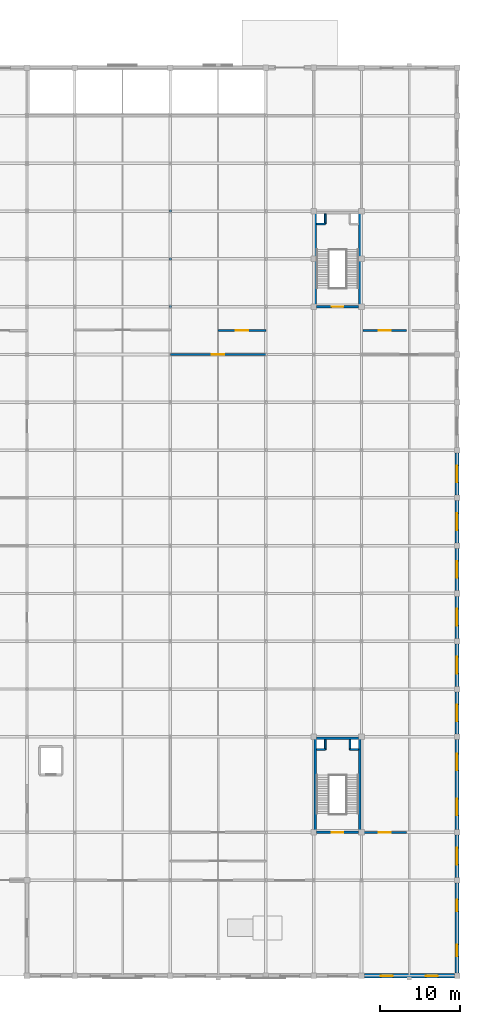
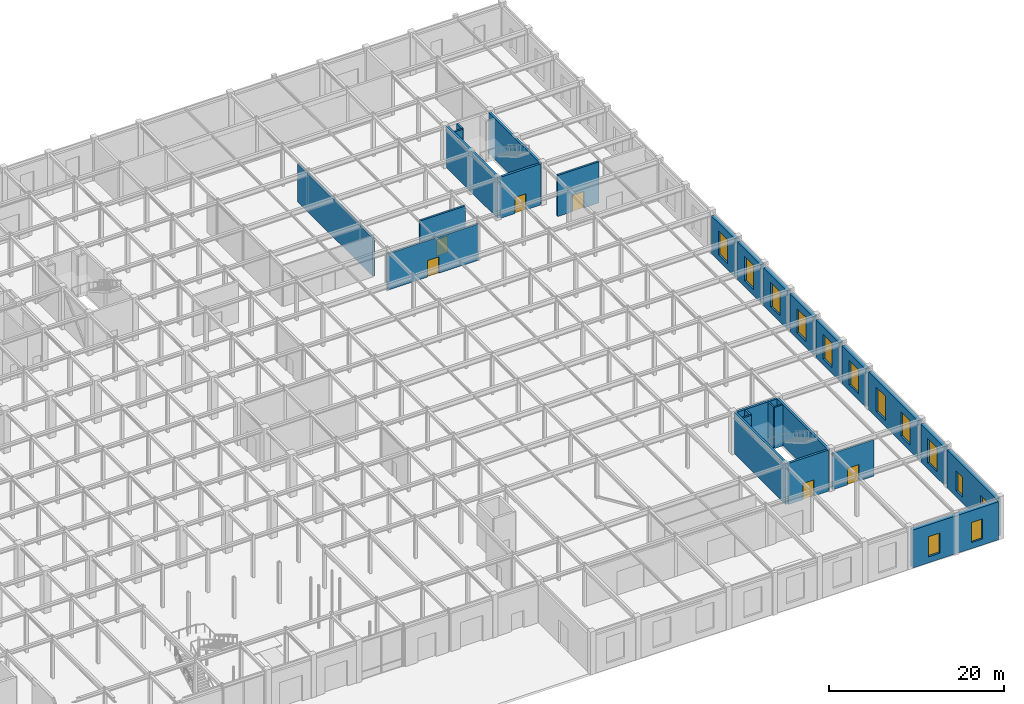
# One storey, part 47 of 51: 28 walls, 13 windows, 6 doors, 19 openings.
"""IFC4 building model written with IfcOpenShell, lengths in metres."""

import ifcopenshell
import ifcopenshell.guid

model = None  # the IFC model being written
_history = None  # IfcOwnerHistory: only IFC2X3 demands one
_inside = {}  # id of a spatial element -> (the spatial element, [elements in it])
_under = {}  # id of a project, library or spatial element -> (it, [spatial elements below it])
_declared = {}  # id of a project -> (the project, [libraries it declares])
_typed = {}  # id of a type object -> (the type object, [elements of that type])
_made_of = {}  # id of a material, layer set ... -> (it, [elements and type objects made of it])


def new_model(schema):
    """Start an empty IFC model of exactly this schema.

    Asked for "IFC4X3", IfcOpenShell would pick the latest addendum, in which some entities
    have other attributes; the version numbers below select the first issue.
    IFC2X3 requires an IfcOwnerHistory on every rooted entity: one is made here for all.
    """
    global model, _history
    if schema == "IFC4X3":
        model = ifcopenshell.file(schema_version=(4, 3, 0, 0))
    else:
        model = ifcopenshell.file(schema=schema)
    _inside.clear()
    _under.clear()
    _declared.clear()
    _typed.clear()
    _made_of.clear()
    _history = None
    if model.schema == "IFC2X3":
        org = make("IfcOrganization", Name="unknown")
        user = make(
            "IfcPersonAndOrganization",
            ThePerson=make("IfcPerson", FamilyName="unknown"),
            TheOrganization=org,
        )
        app = make(
            "IfcApplication",
            ApplicationDeveloper=org,
            Version="unknown",
            ApplicationFullName="unknown",
            ApplicationIdentifier="unknown",
        )
        _history = make(
            "IfcOwnerHistory",
            OwningUser=user,
            OwningApplication=app,
            ChangeAction="ADDED",
            CreationDate=0,
        )
    return model


def make(cls, **values):
    """One entity of the class cls with the attributes given. An attribute that is None is left unset."""
    return model.create_entity(
        cls, **{name: value for name, value in values.items() if value is not None}
    )


def rooted(cls, **values):
    """An entity with a GlobalId (a new one), such as an element, a storey or a relation."""
    return make(cls, GlobalId=ifcopenshell.guid.new(), OwnerHistory=_history, **values)


def si_unit(unit_type, name, prefix=None):
    """IfcSIUnit, for example si_unit("LENGTHUNIT", "METRE", prefix="MILLI")."""
    return make("IfcSIUnit", UnitType=unit_type, Prefix=prefix, Name=name)


def assignment(units):
    """IfcUnitAssignment: the units of a project."""
    return None if units is None else make("IfcUnitAssignment", Units=units)


def point(xyz):
    """IfcCartesianPoint."""
    return None if xyz is None else make("IfcCartesianPoint", Coordinates=xyz)


def direction(xyz):
    """IfcDirection."""
    return None if xyz is None else make("IfcDirection", DirectionRatios=xyz)


def frame(location, z_axis=None, x_axis=None):
    """IfcAxis2Placement3D, a coordinate frame: its origin and axes. An axis left out is left unset."""
    return make(
        "IfcAxis2Placement3D",
        Location=point(location),
        Axis=direction(z_axis),
        RefDirection=direction(x_axis),
    )


def frame_2d(location, x_axis=None):
    """IfcAxis2Placement2D, a coordinate frame in the plane: its origin and x axis."""
    return make(
        "IfcAxis2Placement2D", Location=point(location), RefDirection=direction(x_axis)
    )


def origin():
    """The frame at (0, 0, 0) with its axes left unset."""
    return frame((0.0, 0.0, 0.0))


def place(relative_to, where):
    """IfcLocalPlacement: puts the frame where relative to a parent placement (None: the world)."""
    return make(
        "IfcLocalPlacement", PlacementRelTo=relative_to, RelativePlacement=where
    )


def context(
    kind, dimensions, precision=None, world=None, true_north=None, identifier=None
):
    """IfcGeometricRepresentationContext, for example the 3D "Model" context."""
    return make(
        "IfcGeometricRepresentationContext",
        ContextIdentifier=identifier,
        ContextType=kind,
        CoordinateSpaceDimension=dimensions,
        Precision=precision,
        WorldCoordinateSystem=world,
        TrueNorth=true_north,
    )


def subcontext(parent, identifier, kind, view, scale=None):
    """IfcGeometricRepresentationSubContext, for example "Body" below "Model"."""
    return make(
        "IfcGeometricRepresentationSubContext",
        ContextIdentifier=identifier,
        ContextType=kind,
        ParentContext=parent,
        TargetScale=scale,
        TargetView=view,
    )


def project(units=None, contexts=None):
    """IfcProject with its units and contexts."""
    return rooted(
        "IfcProject",
        Name="project",
        RepresentationContexts=contexts,
        UnitsInContext=assignment(units),
    )


def spatial(cls, under=None, at=None, **own):
    """A site, building, storey or space (cls), placed at a placement, below another one or the project."""
    s = rooted(cls, ObjectPlacement=at, **own)
    if under is not None:
        _under.setdefault(under.id(), (under, []))[1].append(s)
    return s


def profile(cls, at=None, kind="AREA", **sizes):
    """A parametric profile (cls). Its sizes go by their IFC names, for example OverallWidth=200.0."""
    return make(cls, ProfileType=kind, Position=at, **sizes)


def rectangle(**sizes):
    """IfcRectangleProfileDef."""
    return profile("IfcRectangleProfileDef", **sizes)


def extrude(swept, where, along, depth):
    """IfcExtrudedAreaSolid: the profile swept, set in the frame where, extruded along a direction by depth."""
    return make(
        "IfcExtrudedAreaSolid",
        SweptArea=swept,
        Position=where,
        ExtrudedDirection=direction(along),
        Depth=depth,
    )


def shape(context_of_items, identifier, shape_type, items):
    """IfcShapeRepresentation: the items that make up one representation, for example the "Body"."""
    return make(
        "IfcShapeRepresentation",
        ContextOfItems=context_of_items,
        RepresentationIdentifier=identifier,
        RepresentationType=shape_type,
        Items=items,
    )


def material(Name=None, Category=None):
    """IfcMaterial."""
    return make("IfcMaterial", Name=Name, Category=Category)


def layer(
    of_material, thickness, ventilated=None, Name=None, Category=None, Priority=None
):
    """IfcMaterialLayer: one layer of a wall or slab, of a material (None: an air gap)."""
    return make(
        "IfcMaterialLayer",
        Material=of_material,
        LayerThickness=thickness,
        IsVentilated=ventilated,
        Name=Name,
        Category=Category,
        Priority=Priority,
    )


def layer_set(layers, Name=None):
    """IfcMaterialLayerSet."""
    return make("IfcMaterialLayerSet", MaterialLayers=layers, LayerSetName=Name)


def made_of(thing, what):
    """Note that an element or type object is made of a material, layer set ...; save() writes the relation."""
    if what is not None:
        _made_of.setdefault(what.id(), (what, []))[1].append(thing)
    return thing


def type_object(cls, material=None, **own):
    """A type object (cls), such as IfcWallType, which elements share."""
    return made_of(rooted(cls, **own), material)


def element(
    cls,
    number,
    at=None,
    inside=None,
    cuts=None,
    type_object=None,
    material=None,
    context=None,
    identifier="Body",
    shape_type=None,
    held_by="IfcProductDefinitionShape",
    body=None,
    shapes=None,
    **own,
):
    """One element of the class cls, such as IfcWall. Its Tag is "e" and its number.

    at: its placement. inside: the storey or other place that contains it. cuts: it is an
    opening in that element (IfcRelVoidsElement). A single representation is given by context,
    identifier, shape_type and body (its items); several are given by shapes. held_by: the class
    of the entity that holds the representations. save() writes the other relations.
    """
    e = rooted(cls, Tag="e%d" % number, ObjectPlacement=at, **own)
    if body is not None:
        shapes = [shape(context, identifier, shape_type, body)]
    if shapes is not None:
        e.Representation = make(held_by, Representations=shapes)
    if inside is not None:
        _inside.setdefault(inside.id(), (inside, []))[1].append(e)
    if cuts is not None:
        rooted(
            "IfcRelVoidsElement", RelatingBuildingElement=cuts, RelatedOpeningElement=e
        )
    if type_object is not None:
        _typed.setdefault(type_object.id(), (type_object, []))[1].append(e)
    return made_of(e, material)


def fill(opening, filler):
    """IfcRelFillsElement: the door or window that sits in an opening."""
    return rooted(
        "IfcRelFillsElement",
        RelatingOpeningElement=opening,
        RelatedBuildingElement=filler,
    )


def aggregate(whole, parts):
    """IfcRelAggregates: a whole, such as a stair, and the parts it consists of."""
    return rooted("IfcRelAggregates", RelatingObject=whole, RelatedObjects=parts)


def save(model, path):
    """Write the relations noted so far, then the file.

    IfcRelAggregates (storeys below a building ...), IfcRelContainedInSpatialStructure (elements
    in a storey), IfcRelDefinesByType, IfcRelAssociatesMaterial and IfcRelDeclares: one each for
    every whole, place, type object, material and project.
    """
    for whole, parts in _under.values():
        aggregate(whole, parts)
    for where, things in _inside.values():
        rooted(
            "IfcRelContainedInSpatialStructure",
            RelatedElements=things,
            RelatingStructure=where,
        )
    for kind, things in _typed.values():
        rooted("IfcRelDefinesByType", RelatedObjects=things, RelatingType=kind)
    for what, things in _made_of.values():
        rooted("IfcRelAssociatesMaterial", RelatedObjects=things, RelatingMaterial=what)
    for by, libraries in _declared.values():
        rooted("IfcRelDeclares", RelatingContext=by, RelatedDefinitions=libraries)
    model.write(path)


model = new_model("IFC4")

# Units and contexts
model_context = context("Model", 3, precision=1e-05, world=origin(), true_north=direction((0.0, 1.0)))
body_context = subcontext(model_context, "Body", "Model", "MODEL_VIEW")
ifc_project = project(units=[si_unit("LENGTHUNIT", "METRE"), si_unit("AREAUNIT", "SQUARE_METRE"), si_unit("VOLUMEUNIT", "CUBIC_METRE"), si_unit("PLANEANGLEUNIT", "RADIAN"), si_unit("MASSUNIT", "GRAM", prefix="KILO")], contexts=[model_context])

# Site, building, storey
site_placement = place(None, origin())
site = spatial("IfcSite", under=ifc_project, at=site_placement, CompositionType="ELEMENT")
building_placement = place(site_placement, origin())
building = spatial("IfcBuilding", under=site, at=building_placement, Name="Zlatovratsky Civic Hall", CompositionType="ELEMENT")
storey_placement = place(building_placement, origin())
storey = spatial("IfcBuildingStorey", under=building, at=storey_placement, Name="L01", CompositionType="ELEMENT", Elevation=0.0)

# Wall, opening, door
ifc_material_1 = material(Name="Acoustic ceramic blockwork", Category="masonry")
ifc_layer_1 = layer(ifc_material_1, 0.260009765625)
ifc_layer_set_1 = layer_set([ifc_layer_1], Name="Acoustic ceramic blockwork")
wall_type_1 = type_object("IfcWallType", Name="Wall_ArchiveCompartment_260", PredefinedType="PARTITIONING", material=ifc_layer_set_1)
wall_1_placement = place(storey_placement, frame((132.0, 78.0, 0.0), z_axis=(0.0, 0.0, 1.0), x_axis=(1.0, 0.0, 0.0)))
wall_1 = element("IfcWall", 1, at=wall_1_placement, inside=storey, type_object=wall_type_1, Name="WL-6077", PredefinedType="PARTITIONING", context=body_context, shape_type="SweptSolid", body=[
    extrude(rectangle(XDim=12.0, YDim=0.260009765625, at=frame_2d((6.0, 0.0))), origin(), (0.0, 0.0, 1.0), 5.076904296875),
])
opening_1_placement = place(wall_1_placement, frame((5.22509765625, 0.0, 0.0)))
opening_1 = element("IfcOpeningElement", 2, at=opening_1_placement, cuts=wall_1, Name="Opening D-15", PredefinedType="OPENING", context=body_context, shape_type="SweptSolid", body=[
    extrude(rectangle(XDim=1.550048828125, YDim=2.300048828125, at=frame_2d((0.77490234375, 1.14990234375))), frame((0.0, 0.14501953125, 0.0), z_axis=(0.0, -1.0, 0.0), x_axis=(1.0, 0.0, 0.0)), (0.0, 0.0, 1.0), 0.289794921875),
])
ifc_material_2 = material(Name="Insulated painted fire-rated steel leaf", Category="steel")
door_type_1 = type_object("IfcDoorType", Name="Door_CompactArchiveFire_1550x2300", OperationType="DOUBLE_DOOR_SINGLE_SWING", PredefinedType="DOOR", material=ifc_material_2)
door_1_placement = place(opening_1_placement, origin())
door_1 = element("IfcDoor", 3, at=door_1_placement, inside=storey, type_object=door_type_1, Name="DR-5238", OperationType="DOUBLE_DOOR_SINGLE_SWING", OverallHeight=2.300048828125, OverallWidth=1.550048828125, PredefinedType="DOOR", context=body_context, shape_type="SweptSolid", body=[
    extrude(rectangle(XDim=1.550048828125, YDim=2.300048828125, at=frame_2d((0.77490234375, 1.14990234375))), frame((0.0, 0.02490234375, 0.0), z_axis=(0.0, -1.0, 0.0), x_axis=(1.0, 0.0, 0.0)), (0.0, 0.0, 1.0), 0.050048828125),
])
fill(opening_1, door_1)

wall_2_placement = place(storey_placement, frame((138.0, 81.0, 0.0), z_axis=(0.0, 0.0, 1.0), x_axis=(1.0, 0.0, 0.0)))
wall_2 = element("IfcWall", 4, at=wall_2_placement, inside=storey, type_object=wall_type_1, Name="WL-6081", PredefinedType="PARTITIONING", context=body_context, shape_type="SweptSolid", body=[
    extrude(rectangle(XDim=6.0, YDim=0.260009765625, at=frame_2d((3.0, 0.0))), origin(), (0.0, 0.0, 1.0), 5.760009765625),
])
opening_2_placement = place(wall_2_placement, frame((2.22509765625, 0.0, 0.0)))
opening_2 = element("IfcOpeningElement", 5, at=opening_2_placement, cuts=wall_2, Name="Opening D-15", PredefinedType="OPENING", context=body_context, shape_type="SweptSolid", body=[
    extrude(rectangle(XDim=1.550048828125, YDim=2.300048828125, at=frame_2d((0.77490234375, 1.14990234375))), frame((0.0, 0.14501953125, 0.0), z_axis=(0.0, -1.0, 0.0), x_axis=(1.0, 0.0, 0.0)), (0.0, 0.0, 1.0), 0.289794921875),
])
door_2_placement = place(opening_2_placement, origin())
door_2 = element("IfcDoor", 6, at=door_2_placement, inside=storey, type_object=door_type_1, Name="DR-5242", OperationType="DOUBLE_DOOR_SINGLE_SWING", OverallHeight=2.300048828125, OverallWidth=1.550048828125, PredefinedType="DOOR", context=body_context, shape_type="SweptSolid", body=[
    extrude(rectangle(XDim=1.550048828125, YDim=2.300048828125, at=frame_2d((0.77490234375, 1.14990234375))), frame((0.0, 0.02490234375, 0.0), z_axis=(0.0, -1.0, 0.0), x_axis=(1.0, 0.0, 0.0)), (0.0, 0.0, 1.0), 0.050048828125),
])
fill(opening_2, door_2)

wall_3_placement = place(storey_placement, frame((156.199951171875, 81.0, 0.0), z_axis=(0.0, 0.0, 1.0), x_axis=(1.0, 0.0, 0.0)))
wall_3 = element("IfcWall", 7, at=wall_3_placement, inside=storey, type_object=wall_type_1, Name="WL-6087", PredefinedType="PARTITIONING", context=body_context, shape_type="SweptSolid", body=[
    extrude(rectangle(XDim=5.449951171875, YDim=0.260009765625, at=frame_2d((2.72509765625, 0.0))), origin(), (0.0, 0.0, 1.0), 5.760009765625),
])
opening_3_placement = place(wall_3_placement, frame((1.949951171875, 0.0, 0.0)))
opening_3 = element("IfcOpeningElement", 8, at=opening_3_placement, cuts=wall_3, Name="Opening D-15", PredefinedType="OPENING", context=body_context, shape_type="SweptSolid", body=[
    extrude(rectangle(XDim=1.550048828125, YDim=2.300048828125, at=frame_2d((0.77490234375, 1.14990234375))), frame((0.0, 0.14501953125, 0.0), z_axis=(0.0, -1.0, 0.0), x_axis=(1.0, 0.0, 0.0)), (0.0, 0.0, 1.0), 0.289794921875),
])
door_3_placement = place(opening_3_placement, origin())
door_3 = element("IfcDoor", 9, at=door_3_placement, inside=storey, type_object=door_type_1, Name="DR-5248", OperationType="DOUBLE_DOOR_SINGLE_SWING", OverallHeight=2.300048828125, OverallWidth=1.550048828125, PredefinedType="DOOR", context=body_context, shape_type="SweptSolid", body=[
    extrude(rectangle(XDim=1.550048828125, YDim=2.300048828125, at=frame_2d((0.77490234375, 1.14990234375))), frame((0.0, 0.02490234375, 0.0), z_axis=(0.0, -1.0, 0.0), x_axis=(1.0, 0.0, 0.0)), (0.0, 0.0, 1.0), 0.050048828125),
])
fill(opening_3, door_3)

wall_4_placement = place(storey_placement, frame((156.199951171875, 18.0, 0.0), z_axis=(0.0, 0.0, 1.0), x_axis=(1.0, 0.0, 0.0)))
wall_4 = element("IfcWall", 10, at=wall_4_placement, inside=storey, type_object=wall_type_1, Name="WL-6089", PredefinedType="PARTITIONING", context=body_context, shape_type="SweptSolid", body=[
    extrude(rectangle(XDim=5.449951171875, YDim=0.260009765625, at=frame_2d((2.72509765625, 0.0))), origin(), (0.0, 0.0, 1.0), 5.076904296875),
])
opening_4_placement = place(wall_4_placement, frame((1.949951171875, 0.0, 0.0)))
opening_4 = element("IfcOpeningElement", 11, at=opening_4_placement, cuts=wall_4, Name="Opening D-15", PredefinedType="OPENING", context=body_context, shape_type="SweptSolid", body=[
    extrude(rectangle(XDim=1.550048828125, YDim=2.300048828125, at=frame_2d((0.77490234375, 1.14990234375))), frame((0.0, 0.14501953125, 0.0), z_axis=(0.0, -1.0, 0.0), x_axis=(1.0, 0.0, 0.0)), (0.0, 0.0, 1.0), 0.289794921875),
])
door_4_placement = place(opening_4_placement, origin())
door_4 = element("IfcDoor", 12, at=door_4_placement, inside=storey, type_object=door_type_1, Name="DR-5250", OperationType="DOUBLE_DOOR_SINGLE_SWING", OverallHeight=2.300048828125, OverallWidth=1.550048828125, PredefinedType="DOOR", context=body_context, shape_type="SweptSolid", body=[
    extrude(rectangle(XDim=1.550048828125, YDim=2.300048828125, at=frame_2d((0.77490234375, 1.14990234375))), frame((0.0, 0.02490234375, 0.0), z_axis=(0.0, -1.0, 0.0), x_axis=(1.0, 0.0, 0.0)), (0.0, 0.0, 1.0), 0.050048828125),
])
fill(opening_4, door_4)

# Wall
wall_5_placement = place(storey_placement, frame((132.0, 81.14990234375, 0.0), z_axis=(0.0, 0.0, 1.0), x_axis=(0.0, 1.0, 0.0)))
element("IfcWall", 13, at=wall_5_placement, inside=storey, type_object=wall_type_1, Name="WL-6094", PredefinedType="PARTITIONING", context=body_context, shape_type="SweptSolid", body=[
    extrude(rectangle(XDim=17.2001953125, YDim=0.260009765625, at=frame_2d((8.60009765625, 0.0))), origin(), (0.0, 0.0, 1.0), 5.320068359375),
])

# Wall, openings, windows
ifc_layer_2 = layer(ifc_material_1, 0.39990234375, Name="Backing")
ifc_material_3 = material(Name="Polished Karelian granite ashlar", Category="masonry")
ifc_layer_3 = layer(ifc_material_3, 0.139892578125, Name="Finish")
ifc_layer_set_2 = layer_set([ifc_layer_2, ifc_layer_3], Name="Acoustic ceramic blockwork")
wall_type_2 = type_object("IfcWallType", Name="Wall_PodiumGraniteArcade_540", PredefinedType="SOLIDWALL", material=ifc_layer_set_2)
wall_6_placement = place(storey_placement, frame((156.35009765625, 0.0, 0.0), z_axis=(0.0, 0.0, 1.0), x_axis=(1.0, 0.0, 0.0)))
wall_6 = element("IfcWall", 14, at=wall_6_placement, inside=storey, type_object=wall_type_2, Name="WL-0093", PredefinedType="SOLIDWALL", context=body_context, shape_type="SweptSolid", body=[
    extrude(rectangle(XDim=11.2998046875, YDim=0.5400390625, at=frame_2d((5.64990234375, 0.0))), origin(), (0.0, 0.0, 1.0), 5.31005859375),
])
opening_5_placement = place(wall_6_placement, frame((2.074951171875, 0.0, 0.85009765625)))
opening_5 = element("IfcOpeningElement", 15, at=opening_5_placement, cuts=wall_6, Name="Opening WN-27", PredefinedType="OPENING", context=body_context, shape_type="SweptSolid", body=[
    extrude(rectangle(XDim=1.5, YDim=2.800048828125, at=frame_2d((0.75, 1.39990234375))), frame((0.0, 0.284912109375, 0.0), z_axis=(0.0, -1.0, 0.0), x_axis=(1.0, 0.0, 0.0)), (0.0, 0.0, 1.0), 0.56982421875),
])
opening_6_placement = place(wall_6_placement, frame((7.72509765625, 0.0, 0.85009765625)))
opening_6 = element("IfcOpeningElement", 16, at=opening_6_placement, cuts=wall_6, Name="Opening WN-27", PredefinedType="OPENING", context=body_context, shape_type="SweptSolid", body=[
    extrude(rectangle(XDim=1.5, YDim=2.800048828125, at=frame_2d((0.75, 1.39990234375))), frame((0.0, 0.284912109375, 0.0), z_axis=(0.0, -1.0, 0.0), x_axis=(1.0, 0.0, 0.0)), (0.0, 0.0, 1.0), 0.56982421875),
])
ifc_material_4 = material(Name="Low-E laminated double glazing", Category="glass")
window_type_1 = type_object("IfcWindowType", Name="Window_CornerBastionPodium_1500x2800", PartitioningType="SINGLE_PANEL", PredefinedType="WINDOW", material=ifc_material_4)
window_1_placement = place(opening_5_placement, origin())
window_1 = element("IfcWindow", 17, at=window_1_placement, inside=storey, type_object=window_type_1, Name="WN-0017", OverallHeight=2.800048828125, OverallWidth=1.5, PartitioningType="SINGLE_PANEL", PredefinedType="WINDOW", context=body_context, shape_type="SweptSolid", body=[
    extrude(rectangle(XDim=1.5, YDim=2.800048828125, at=frame_2d((0.75, 1.39990234375))), frame((0.0, 0.030029296875, 0.0), z_axis=(0.0, -1.0, 0.0), x_axis=(1.0, 0.0, 0.0)), (0.0, 0.0, 1.0), 0.06005859375),
])
fill(opening_5, window_1)
window_2_placement = place(opening_6_placement, origin())
window_2 = element("IfcWindow", 18, at=window_2_placement, inside=storey, type_object=window_type_1, Name="WN-0018", OverallHeight=2.800048828125, OverallWidth=1.5, PartitioningType="SINGLE_PANEL", PredefinedType="WINDOW", context=body_context, shape_type="SweptSolid", body=[
    extrude(rectangle(XDim=1.5, YDim=2.800048828125, at=frame_2d((0.75, 1.39990234375))), frame((0.0, 0.030029296875, 0.0), z_axis=(0.0, -1.0, 0.0), x_axis=(1.0, 0.0, 0.0)), (0.0, 0.0, 1.0), 0.06005859375),
])
fill(opening_6, window_2)

wall_7_placement = place(storey_placement, frame((168.0, 0.35009765625, 0.0), z_axis=(0.0, 0.0, 1.0), x_axis=(0.0, 1.0, 0.0)))
wall_7 = element("IfcWall", 19, at=wall_7_placement, inside=storey, type_object=wall_type_2, Name="WL-0150", PredefinedType="SOLIDWALL", context=body_context, shape_type="SweptSolid", body=[
    extrude(rectangle(XDim=11.2998046875, YDim=0.5400390625, at=frame_2d((5.64990234375, 0.0))), origin(), (0.0, 0.0, 1.0), 5.31005859375),
])
opening_7_placement = place(wall_7_placement, frame((2.074951171875, 0.0, 0.85009765625)))
opening_7 = element("IfcOpeningElement", 20, at=opening_7_placement, cuts=wall_7, Name="Opening WN-27", PredefinedType="OPENING", context=body_context, shape_type="SweptSolid", body=[
    extrude(rectangle(XDim=1.5, YDim=2.800048828125, at=frame_2d((0.75, 1.39990234375))), frame((0.0, 0.284912109375, 0.0), z_axis=(0.0, -1.0, 0.0), x_axis=(1.0, 0.0, 0.0)), (0.0, 0.0, 1.0), 0.56982421875),
])
opening_8_placement = place(wall_7_placement, frame((7.72509765625, 0.0, 0.85009765625)))
opening_8 = element("IfcOpeningElement", 21, at=opening_8_placement, cuts=wall_7, Name="Opening WN-27", PredefinedType="OPENING", context=body_context, shape_type="SweptSolid", body=[
    extrude(rectangle(XDim=1.5, YDim=2.800048828125, at=frame_2d((0.75, 1.39990234375))), frame((0.0, 0.284912109375, 0.0), z_axis=(0.0, -1.0, 0.0), x_axis=(1.0, 0.0, 0.0)), (0.0, 0.0, 1.0), 0.56982421875),
])
window_3_placement = place(opening_7_placement, origin())
window_3 = element("IfcWindow", 22, at=window_3_placement, inside=storey, type_object=window_type_1, Name="WN-0058", OverallHeight=2.800048828125, OverallWidth=1.5, PartitioningType="SINGLE_PANEL", PredefinedType="WINDOW", context=body_context, shape_type="SweptSolid", body=[
    extrude(rectangle(XDim=1.5, YDim=2.800048828125, at=frame_2d((0.75, 1.39990234375))), frame((0.0, 0.030029296875, 0.0), z_axis=(0.0, -1.0, 0.0), x_axis=(1.0, 0.0, 0.0)), (0.0, 0.0, 1.0), 0.06005859375),
])
fill(opening_7, window_3)
window_4_placement = place(opening_8_placement, origin())
window_4 = element("IfcWindow", 23, at=window_4_placement, inside=storey, type_object=window_type_1, Name="WN-0059", OverallHeight=2.800048828125, OverallWidth=1.5, PartitioningType="SINGLE_PANEL", PredefinedType="WINDOW", context=body_context, shape_type="SweptSolid", body=[
    extrude(rectangle(XDim=1.5, YDim=2.800048828125, at=frame_2d((0.75, 1.39990234375))), frame((0.0, 0.030029296875, 0.0), z_axis=(0.0, -1.0, 0.0), x_axis=(1.0, 0.0, 0.0)), (0.0, 0.0, 1.0), 0.06005859375),
])
fill(opening_8, window_4)

# Wall, opening, window
wall_8_placement = place(storey_placement, frame((168.0, 12.35009765625, 0.0), z_axis=(0.0, 0.0, 1.0), x_axis=(0.0, 1.0, 0.0)))
wall_8 = element("IfcWall", 24, at=wall_8_placement, inside=storey, type_object=wall_type_2, Name="WL-0151", PredefinedType="SOLIDWALL", context=body_context, shape_type="SweptSolid", body=[
    extrude(rectangle(XDim=5.2998046875, YDim=0.5400390625, at=frame_2d((2.64990234375, 0.0))), origin(), (0.0, 0.0, 1.0), 5.31005859375),
])
opening_9_placement = place(wall_8_placement, frame((1.60009765625, 0.0, 0.85009765625)))
opening_9 = element("IfcOpeningElement", 25, at=opening_9_placement, cuts=wall_8, Name="Opening WN-02", PredefinedType="OPENING", context=body_context, shape_type="SweptSolid", body=[
    extrude(rectangle(XDim=2.10009765625, YDim=3.39990234375, at=frame_2d((1.050048828125, 1.699951171875))), frame((0.0, 0.284912109375, 0.0), z_axis=(0.0, -1.0, 0.0), x_axis=(1.0, 0.0, 0.0)), (0.0, 0.0, 1.0), 0.56982421875),
])
window_type_2 = type_object("IfcWindowType", Name="Window_GroundCornerPavilion_2100x3400", PartitioningType="SINGLE_PANEL", PredefinedType="WINDOW", material=ifc_material_4)
window_5_placement = place(opening_9_placement, origin())
window_5 = element("IfcWindow", 26, at=window_5_placement, inside=storey, type_object=window_type_2, Name="WN-0060", OverallHeight=3.39990234375, OverallWidth=2.10009765625, PartitioningType="SINGLE_PANEL", PredefinedType="WINDOW", context=body_context, shape_type="SweptSolid", body=[
    extrude(rectangle(XDim=2.10009765625, YDim=3.39990234375, at=frame_2d((1.050048828125, 1.699951171875))), frame((0.0, 0.030029296875, 0.0), z_axis=(0.0, -1.0, 0.0), x_axis=(1.0, 0.0, 0.0)), (0.0, 0.0, 1.0), 0.06005859375),
])
fill(opening_9, window_5)

# Wall, openings, windows
wall_9_placement = place(storey_placement, frame((168.0, 18.35009765625, 0.0), z_axis=(0.0, 0.0, 1.0), x_axis=(0.0, 1.0, 0.0)))
wall_9 = element("IfcWall", 27, at=wall_9_placement, inside=storey, type_object=wall_type_2, Name="WL-0152", PredefinedType="SOLIDWALL", context=body_context, shape_type="SweptSolid", body=[
    extrude(rectangle(XDim=11.2998046875, YDim=0.5400390625, at=frame_2d((5.64990234375, 0.0))), origin(), (0.0, 0.0, 1.0), 5.31005859375),
])
opening_10_placement = place(wall_9_placement, frame((1.77490234375, 0.0, 0.85009765625)))
opening_10 = element("IfcOpeningElement", 28, at=opening_10_placement, cuts=wall_9, Name="Opening WN-02", PredefinedType="OPENING", context=body_context, shape_type="SweptSolid", body=[
    extrude(rectangle(XDim=2.10009765625, YDim=3.39990234375, at=frame_2d((1.050048828125, 1.699951171875))), frame((0.0, 0.284912109375, 0.0), z_axis=(0.0, -1.0, 0.0), x_axis=(1.0, 0.0, 0.0)), (0.0, 0.0, 1.0), 0.56982421875),
])
opening_11_placement = place(wall_9_placement, frame((7.425048828125, 0.0, 0.85009765625)))
opening_11 = element("IfcOpeningElement", 29, at=opening_11_placement, cuts=wall_9, Name="Opening WN-02", PredefinedType="OPENING", context=body_context, shape_type="SweptSolid", body=[
    extrude(rectangle(XDim=2.10009765625, YDim=3.39990234375, at=frame_2d((1.050048828125, 1.699951171875))), frame((0.0, 0.284912109375, 0.0), z_axis=(0.0, -1.0, 0.0), x_axis=(1.0, 0.0, 0.0)), (0.0, 0.0, 1.0), 0.56982421875),
])
window_6_placement = place(opening_10_placement, origin())
window_6 = element("IfcWindow", 30, at=window_6_placement, inside=storey, type_object=window_type_2, Name="WN-0061", OverallHeight=3.39990234375, OverallWidth=2.10009765625, PartitioningType="SINGLE_PANEL", PredefinedType="WINDOW", context=body_context, shape_type="SweptSolid", body=[
    extrude(rectangle(XDim=2.10009765625, YDim=3.39990234375, at=frame_2d((1.050048828125, 1.699951171875))), frame((0.0, 0.030029296875, 0.0), z_axis=(0.0, -1.0, 0.0), x_axis=(1.0, 0.0, 0.0)), (0.0, 0.0, 1.0), 0.06005859375),
])
fill(opening_10, window_6)
window_7_placement = place(opening_11_placement, origin())
window_7 = element("IfcWindow", 31, at=window_7_placement, inside=storey, type_object=window_type_2, Name="WN-0062", OverallHeight=3.39990234375, OverallWidth=2.10009765625, PartitioningType="SINGLE_PANEL", PredefinedType="WINDOW", context=body_context, shape_type="SweptSolid", body=[
    extrude(rectangle(XDim=2.10009765625, YDim=3.39990234375, at=frame_2d((1.050048828125, 1.699951171875))), frame((0.0, 0.030029296875, 0.0), z_axis=(0.0, -1.0, 0.0), x_axis=(1.0, 0.0, 0.0)), (0.0, 0.0, 1.0), 0.06005859375),
])
fill(opening_11, window_7)

# Wall, opening, window
wall_10_placement = place(storey_placement, frame((168.0, 30.35009765625, 0.0), z_axis=(0.0, 0.0, 1.0), x_axis=(0.0, 1.0, 0.0)))
wall_10 = element("IfcWall", 32, at=wall_10_placement, inside=storey, type_object=wall_type_2, Name="WL-0153", PredefinedType="SOLIDWALL", context=body_context, shape_type="SweptSolid", body=[
    extrude(rectangle(XDim=5.2998046875, YDim=0.5400390625, at=frame_2d((2.64990234375, 0.0))), origin(), (0.0, 0.0, 1.0), 5.31005859375),
])
opening_12_placement = place(wall_10_placement, frame((1.60009765625, 0.0, 0.85009765625)))
opening_12 = element("IfcOpeningElement", 33, at=opening_12_placement, cuts=wall_10, Name="Opening WN-02", PredefinedType="OPENING", context=body_context, shape_type="SweptSolid", body=[
    extrude(rectangle(XDim=2.10009765625, YDim=3.39990234375, at=frame_2d((1.050048828125, 1.699951171875))), frame((0.0, 0.284912109375, 0.0), z_axis=(0.0, -1.0, 0.0), x_axis=(1.0, 0.0, 0.0)), (0.0, 0.0, 1.0), 0.56982421875),
])
window_8_placement = place(opening_12_placement, origin())
window_8 = element("IfcWindow", 34, at=window_8_placement, inside=storey, type_object=window_type_2, Name="WN-0063", OverallHeight=3.39990234375, OverallWidth=2.10009765625, PartitioningType="SINGLE_PANEL", PredefinedType="WINDOW", context=body_context, shape_type="SweptSolid", body=[
    extrude(rectangle(XDim=2.10009765625, YDim=3.39990234375, at=frame_2d((1.050048828125, 1.699951171875))), frame((0.0, 0.030029296875, 0.0), z_axis=(0.0, -1.0, 0.0), x_axis=(1.0, 0.0, 0.0)), (0.0, 0.0, 1.0), 0.06005859375),
])
fill(opening_12, window_8)

wall_11_placement = place(storey_placement, frame((168.0, 36.35009765625, 0.0), z_axis=(0.0, 0.0, 1.0), x_axis=(0.0, 1.0, 0.0)))
wall_11 = element("IfcWall", 35, at=wall_11_placement, inside=storey, type_object=wall_type_2, Name="WL-0154", PredefinedType="SOLIDWALL", context=body_context, shape_type="SweptSolid", body=[
    extrude(rectangle(XDim=5.2998046875, YDim=0.5400390625, at=frame_2d((2.64990234375, 0.0))), origin(), (0.0, 0.0, 1.0), 5.31005859375),
])
opening_13_placement = place(wall_11_placement, frame((1.60009765625, 0.0, 0.85009765625)))
opening_13 = element("IfcOpeningElement", 36, at=opening_13_placement, cuts=wall_11, Name="Opening WN-02", PredefinedType="OPENING", context=body_context, shape_type="SweptSolid", body=[
    extrude(rectangle(XDim=2.10009765625, YDim=3.39990234375, at=frame_2d((1.050048828125, 1.699951171875))), frame((0.0, 0.284912109375, 0.0), z_axis=(0.0, -1.0, 0.0), x_axis=(1.0, 0.0, 0.0)), (0.0, 0.0, 1.0), 0.56982421875),
])
window_9_placement = place(opening_13_placement, origin())
window_9 = element("IfcWindow", 37, at=window_9_placement, inside=storey, type_object=window_type_2, Name="WN-0064", OverallHeight=3.39990234375, OverallWidth=2.10009765625, PartitioningType="SINGLE_PANEL", PredefinedType="WINDOW", context=body_context, shape_type="SweptSolid", body=[
    extrude(rectangle(XDim=2.10009765625, YDim=3.39990234375, at=frame_2d((1.050048828125, 1.699951171875))), frame((0.0, 0.030029296875, 0.0), z_axis=(0.0, -1.0, 0.0), x_axis=(1.0, 0.0, 0.0)), (0.0, 0.0, 1.0), 0.06005859375),
])
fill(opening_13, window_9)

wall_12_placement = place(storey_placement, frame((168.0, 42.35009765625, 0.0), z_axis=(0.0, 0.0, 1.0), x_axis=(0.0, 1.0, 0.0)))
wall_12 = element("IfcWall", 38, at=wall_12_placement, inside=storey, type_object=wall_type_2, Name="WL-0155", PredefinedType="SOLIDWALL", context=body_context, shape_type="SweptSolid", body=[
    extrude(rectangle(XDim=5.2998046875, YDim=0.5400390625, at=frame_2d((2.64990234375, 0.0))), origin(), (0.0, 0.0, 1.0), 5.31005859375),
])
opening_14_placement = place(wall_12_placement, frame((1.60009765625, 0.0, 0.85009765625)))
opening_14 = element("IfcOpeningElement", 39, at=opening_14_placement, cuts=wall_12, Name="Opening WN-02", PredefinedType="OPENING", context=body_context, shape_type="SweptSolid", body=[
    extrude(rectangle(XDim=2.10009765625, YDim=3.39990234375, at=frame_2d((1.050048828125, 1.699951171875))), frame((0.0, 0.284912109375, 0.0), z_axis=(0.0, -1.0, 0.0), x_axis=(1.0, 0.0, 0.0)), (0.0, 0.0, 1.0), 0.56982421875),
])
window_10_placement = place(opening_14_placement, origin())
window_10 = element("IfcWindow", 40, at=window_10_placement, inside=storey, type_object=window_type_2, Name="WN-0065", OverallHeight=3.39990234375, OverallWidth=2.10009765625, PartitioningType="SINGLE_PANEL", PredefinedType="WINDOW", context=body_context, shape_type="SweptSolid", body=[
    extrude(rectangle(XDim=2.10009765625, YDim=3.39990234375, at=frame_2d((1.050048828125, 1.699951171875))), frame((0.0, 0.030029296875, 0.0), z_axis=(0.0, -1.0, 0.0), x_axis=(1.0, 0.0, 0.0)), (0.0, 0.0, 1.0), 0.06005859375),
])
fill(opening_14, window_10)

wall_13_placement = place(storey_placement, frame((168.0, 48.35009765625, 0.0), z_axis=(0.0, 0.0, 1.0), x_axis=(0.0, 1.0, 0.0)))
wall_13 = element("IfcWall", 41, at=wall_13_placement, inside=storey, type_object=wall_type_2, Name="WL-0156", PredefinedType="SOLIDWALL", context=body_context, shape_type="SweptSolid", body=[
    extrude(rectangle(XDim=5.2998046875, YDim=0.5400390625, at=frame_2d((2.64990234375, 0.0))), origin(), (0.0, 0.0, 1.0), 5.31005859375),
])
opening_15_placement = place(wall_13_placement, frame((1.60009765625, 0.0, 0.85009765625)))
opening_15 = element("IfcOpeningElement", 42, at=opening_15_placement, cuts=wall_13, Name="Opening WN-02", PredefinedType="OPENING", context=body_context, shape_type="SweptSolid", body=[
    extrude(rectangle(XDim=2.10009765625, YDim=3.39990234375, at=frame_2d((1.050048828125, 1.699951171875))), frame((0.0, 0.284912109375, 0.0), z_axis=(0.0, -1.0, 0.0), x_axis=(1.0, 0.0, 0.0)), (0.0, 0.0, 1.0), 0.56982421875),
])
window_11_placement = place(opening_15_placement, origin())
window_11 = element("IfcWindow", 43, at=window_11_placement, inside=storey, type_object=window_type_2, Name="WN-0066", OverallHeight=3.39990234375, OverallWidth=2.10009765625, PartitioningType="SINGLE_PANEL", PredefinedType="WINDOW", context=body_context, shape_type="SweptSolid", body=[
    extrude(rectangle(XDim=2.10009765625, YDim=3.39990234375, at=frame_2d((1.050048828125, 1.699951171875))), frame((0.0, 0.030029296875, 0.0), z_axis=(0.0, -1.0, 0.0), x_axis=(1.0, 0.0, 0.0)), (0.0, 0.0, 1.0), 0.06005859375),
])
fill(opening_15, window_11)

wall_14_placement = place(storey_placement, frame((168.0, 54.35009765625, 0.0), z_axis=(0.0, 0.0, 1.0), x_axis=(0.0, 1.0, 0.0)))
wall_14 = element("IfcWall", 44, at=wall_14_placement, inside=storey, type_object=wall_type_2, Name="WL-0157", PredefinedType="SOLIDWALL", context=body_context, shape_type="SweptSolid", body=[
    extrude(rectangle(XDim=5.2998046875, YDim=0.5400390625, at=frame_2d((2.64990234375, 0.0))), origin(), (0.0, 0.0, 1.0), 5.31005859375),
])
opening_16_placement = place(wall_14_placement, frame((1.60009765625, 0.0, 0.85009765625)))
opening_16 = element("IfcOpeningElement", 45, at=opening_16_placement, cuts=wall_14, Name="Opening WN-02", PredefinedType="OPENING", context=body_context, shape_type="SweptSolid", body=[
    extrude(rectangle(XDim=2.10009765625, YDim=3.39990234375, at=frame_2d((1.050048828125, 1.699951171875))), frame((0.0, 0.284912109375, 0.0), z_axis=(0.0, -1.0, 0.0), x_axis=(1.0, 0.0, 0.0)), (0.0, 0.0, 1.0), 0.56982421875),
])
window_12_placement = place(opening_16_placement, origin())
window_12 = element("IfcWindow", 46, at=window_12_placement, inside=storey, type_object=window_type_2, Name="WN-0067", OverallHeight=3.39990234375, OverallWidth=2.10009765625, PartitioningType="SINGLE_PANEL", PredefinedType="WINDOW", context=body_context, shape_type="SweptSolid", body=[
    extrude(rectangle(XDim=2.10009765625, YDim=3.39990234375, at=frame_2d((1.050048828125, 1.699951171875))), frame((0.0, 0.030029296875, 0.0), z_axis=(0.0, -1.0, 0.0), x_axis=(1.0, 0.0, 0.0)), (0.0, 0.0, 1.0), 0.06005859375),
])
fill(opening_16, window_12)

wall_15_placement = place(storey_placement, frame((168.0, 60.35009765625, 0.0), z_axis=(0.0, 0.0, 1.0), x_axis=(0.0, 1.0, 0.0)))
wall_15 = element("IfcWall", 47, at=wall_15_placement, inside=storey, type_object=wall_type_2, Name="WL-0158", PredefinedType="SOLIDWALL", context=body_context, shape_type="SweptSolid", body=[
    extrude(rectangle(XDim=5.2998046875, YDim=0.5400390625, at=frame_2d((2.64990234375, 0.0))), origin(), (0.0, 0.0, 1.0), 5.31005859375),
])
opening_17_placement = place(wall_15_placement, frame((1.60009765625, 0.0, 0.85009765625)))
opening_17 = element("IfcOpeningElement", 48, at=opening_17_placement, cuts=wall_15, Name="Opening WN-02", PredefinedType="OPENING", context=body_context, shape_type="SweptSolid", body=[
    extrude(rectangle(XDim=2.10009765625, YDim=3.39990234375, at=frame_2d((1.050048828125, 1.699951171875))), frame((0.0, 0.284912109375, 0.0), z_axis=(0.0, -1.0, 0.0), x_axis=(1.0, 0.0, 0.0)), (0.0, 0.0, 1.0), 0.56982421875),
])
window_13_placement = place(opening_17_placement, origin())
window_13 = element("IfcWindow", 49, at=window_13_placement, inside=storey, type_object=window_type_2, Name="WN-0068", OverallHeight=3.39990234375, OverallWidth=2.10009765625, PartitioningType="SINGLE_PANEL", PredefinedType="WINDOW", context=body_context, shape_type="SweptSolid", body=[
    extrude(rectangle(XDim=2.10009765625, YDim=3.39990234375, at=frame_2d((1.050048828125, 1.699951171875))), frame((0.0, 0.030029296875, 0.0), z_axis=(0.0, -1.0, 0.0), x_axis=(1.0, 0.0, 0.0)), (0.0, 0.0, 1.0), 0.06005859375),
])
fill(opening_17, window_13)

# Walls
ifc_layer_4 = layer(ifc_material_1, 0.219970703125)
ifc_layer_set_3 = layer_set([ifc_layer_4], Name="Acoustic ceramic blockwork")
wall_type_3 = type_object("IfcWallType", Name="Wall_SanitaryWetCore_220", PredefinedType="PARTITIONING", material=ifc_layer_set_3)
wall_16_placement = place(storey_placement, frame((151.449951171875, 28.39990234375, 0.0), z_axis=(0.0, 0.0, 1.0), x_axis=(0.0, 1.0, 0.0)))
element("IfcWall", 50, at=wall_16_placement, inside=storey, type_object=wall_type_3, Name="WL-5361", PredefinedType="PARTITIONING", context=body_context, shape_type="SweptSolid", body=[
    extrude(rectangle(XDim=1.25, YDim=0.219970703125, at=frame_2d((0.625, 0.0))), origin(), (0.0, 0.0, 1.0), 5.760009765625),
])
wall_17_placement = place(storey_placement, frame((150.35009765625, 28.39990234375, 0.0), z_axis=(0.0, 0.0, 1.0), x_axis=(1.0, 0.0, 0.0)))
element("IfcWall", 51, at=wall_17_placement, inside=storey, type_object=wall_type_3, Name="WL-5362", PredefinedType="PARTITIONING", context=body_context, shape_type="SweptSolid", body=[
    extrude(rectangle(XDim=1.099853515625, YDim=0.219970703125, at=frame_2d((0.5498046875, 0.0))), origin(), (0.0, 0.0, 1.0), 5.760009765625),
])
wall_18_placement = place(storey_placement, frame((154.550048828125, 28.39990234375, 0.0), z_axis=(0.0, 0.0, 1.0), x_axis=(0.0, 1.0, 0.0)))
element("IfcWall", 52, at=wall_18_placement, inside=storey, type_object=wall_type_3, Name="WL-5363", PredefinedType="PARTITIONING", context=body_context, shape_type="SweptSolid", body=[
    extrude(rectangle(XDim=1.25, YDim=0.219970703125, at=frame_2d((0.625, 0.0))), origin(), (0.0, 0.0, 1.0), 5.760009765625),
])
wall_19_placement = place(storey_placement, frame((154.550048828125, 28.39990234375, 0.0), z_axis=(0.0, 0.0, 1.0), x_axis=(1.0, 0.0, 0.0)))
element("IfcWall", 53, at=wall_19_placement, inside=storey, type_object=wall_type_3, Name="WL-5364", PredefinedType="PARTITIONING", context=body_context, shape_type="SweptSolid", body=[
    extrude(rectangle(XDim=1.099853515625, YDim=0.219970703125, at=frame_2d((0.5498046875, 0.0))), origin(), (0.0, 0.0, 1.0), 5.760009765625),
])
wall_20_placement = place(storey_placement, frame((151.449951171875, 94.39990234375, 0.0), z_axis=(0.0, 0.0, 1.0), x_axis=(0.0, 1.0, 0.0)))
element("IfcWall", 54, at=wall_20_placement, inside=storey, type_object=wall_type_3, Name="WL-5441", PredefinedType="PARTITIONING", context=body_context, shape_type="SweptSolid", body=[
    extrude(rectangle(XDim=1.25, YDim=0.219970703125, at=frame_2d((0.625, 0.0))), origin(), (0.0, 0.0, 1.0), 5.760009765625),
])
wall_21_placement = place(storey_placement, frame((150.35009765625, 94.39990234375, 0.0), z_axis=(0.0, 0.0, 1.0), x_axis=(1.0, 0.0, 0.0)))
element("IfcWall", 55, at=wall_21_placement, inside=storey, type_object=wall_type_3, Name="WL-5442", PredefinedType="PARTITIONING", context=body_context, shape_type="SweptSolid", body=[
    extrude(rectangle(XDim=1.099853515625, YDim=0.219970703125, at=frame_2d((0.5498046875, 0.0))), origin(), (0.0, 0.0, 1.0), 5.760009765625),
])

# Wall, opening, door
ifc_material_5 = material(Name="Concrete C35/45 (B40)", Category="concrete")
ifc_layer_5 = layer(ifc_material_5, 0.300048828125)
ifc_layer_set_4 = layer_set([ifc_layer_5], Name="Concrete C35/45 (B40)")
wall_type_4 = type_object("IfcWallType", Name="Wall_StairAndLiftShaft_300", PredefinedType="SHEAR", material=ifc_layer_set_4)
wall_22_placement = place(storey_placement, frame((150.35009765625, 18.0, 0.0), z_axis=(0.0, 0.0, 1.0), x_axis=(1.0, 0.0, 0.0)))
wall_22 = element("IfcWall", 56, at=wall_22_placement, inside=storey, type_object=wall_type_4, Name="WL-5357", PredefinedType="SHEAR", context=body_context, shape_type="SweptSolid", body=[
    extrude(rectangle(XDim=5.2998046875, YDim=0.300048828125, at=frame_2d((2.64990234375, 0.0))), origin(), (0.0, 0.0, 1.0), 5.760009765625),
])
opening_18_placement = place(wall_22_placement, frame((1.925048828125, 0.0, 0.0)))
opening_18 = element("IfcOpeningElement", 57, at=opening_18_placement, cuts=wall_22, Name="Opening D-16", PredefinedType="OPENING", context=body_context, shape_type="SweptSolid", body=[
    extrude(rectangle(XDim=1.449951171875, YDim=2.25, at=frame_2d((0.72509765625, 1.125))), frame((0.0, 0.1650390625, 0.0), z_axis=(0.0, -1.0, 0.0), x_axis=(1.0, 0.0, 0.0)), (0.0, 0.0, 1.0), 0.329833984375),
])
door_type_2 = type_object("IfcDoorType", Name="Door_StairwellFirePodium_1450x2250", OperationType="NOTDEFINED", PredefinedType="DOOR", material=ifc_material_2)
door_5_placement = place(opening_18_placement, origin())
door_5 = element("IfcDoor", 58, at=door_5_placement, inside=storey, type_object=door_type_2, Name="DR-5045", OperationType="SINGLE_SWING_LEFT", OverallHeight=2.25, OverallWidth=1.449951171875, PredefinedType="DOOR", context=body_context, shape_type="SweptSolid", body=[
    extrude(rectangle(XDim=1.449951171875, YDim=2.25, at=frame_2d((0.72509765625, 1.125))), frame((0.0, 0.02490234375, 0.0), z_axis=(0.0, -1.0, 0.0), x_axis=(1.0, 0.0, 0.0)), (0.0, 0.0, 1.0), 0.050048828125),
])
fill(opening_18, door_5)

# Walls
wall_23_placement = place(storey_placement, frame((150.35009765625, 29.800048828125, 0.0), z_axis=(0.0, 0.0, 1.0), x_axis=(1.0, 0.0, 0.0)))
element("IfcWall", 59, at=wall_23_placement, inside=storey, type_object=wall_type_4, Name="WL-5358", PredefinedType="SHEAR", context=body_context, shape_type="SweptSolid", body=[
    extrude(rectangle(XDim=5.2998046875, YDim=0.300048828125, at=frame_2d((2.64990234375, 0.0))), origin(), (0.0, 0.0, 1.0), 5.760009765625),
])
for number, where, z_axis, x_axis, name in (
    (60, (150.199951171875, 18.0, 0.0), (0.0, 0.0, 1.0), (0.0, 1.0, 0.0), "WL-5359"),
    (61, (155.800048828125, 18.0, 0.0), (0.0, 0.0, 1.0), (0.0, 1.0, 0.0), "WL-5360"),
):
    element("IfcWall", number, at=place(storey_placement, frame(where, z_axis=z_axis, x_axis=x_axis)), inside=storey, type_object=wall_type_4, Name=name, PredefinedType="SHEAR", context=body_context, shape_type="SweptSolid", body=[
        extrude(rectangle(XDim=11.800048828125, YDim=0.300048828125, at=frame_2d((5.89990234375, 0.0))), origin(), (0.0, 0.0, 1.0), 5.760009765625),
    ])

# Wall, opening, door
wall_24_placement = place(storey_placement, frame((150.35009765625, 84.0, 0.0), z_axis=(0.0, 0.0, 1.0), x_axis=(1.0, 0.0, 0.0)))
wall_24 = element("IfcWall", 62, at=wall_24_placement, inside=storey, type_object=wall_type_4, Name="WL-5437", PredefinedType="SHEAR", context=body_context, shape_type="SweptSolid", body=[
    extrude(rectangle(XDim=5.2998046875, YDim=0.300048828125, at=frame_2d((2.64990234375, 0.0))), origin(), (0.0, 0.0, 1.0), 5.760009765625),
])
opening_19_placement = place(wall_24_placement, frame((1.925048828125, 0.0, 0.0)))
opening_19 = element("IfcOpeningElement", 63, at=opening_19_placement, cuts=wall_24, Name="Opening D-16", PredefinedType="OPENING", context=body_context, shape_type="SweptSolid", body=[
    extrude(rectangle(XDim=1.449951171875, YDim=2.25, at=frame_2d((0.72509765625, 1.125))), frame((0.0, 0.1650390625, 0.0), z_axis=(0.0, -1.0, 0.0), x_axis=(1.0, 0.0, 0.0)), (0.0, 0.0, 1.0), 0.329833984375),
])
door_6_placement = place(opening_19_placement, origin())
door_6 = element("IfcDoor", 64, at=door_6_placement, inside=storey, type_object=door_type_2, Name="DR-5055", OperationType="SINGLE_SWING_LEFT", OverallHeight=2.25, OverallWidth=1.449951171875, PredefinedType="DOOR", context=body_context, shape_type="SweptSolid", body=[
    extrude(rectangle(XDim=1.449951171875, YDim=2.25, at=frame_2d((0.72509765625, 1.125))), frame((0.0, 0.02490234375, 0.0), z_axis=(0.0, -1.0, 0.0), x_axis=(1.0, 0.0, 0.0)), (0.0, 0.0, 1.0), 0.050048828125),
])
fill(opening_19, door_6)

# Walls
for number, where, z_axis, x_axis, name in (
    (65, (150.199951171875, 84.0, 0.0), (0.0, 0.0, 1.0), (0.0, 1.0, 0.0), "WL-5439"),
    (66, (155.800048828125, 84.0, 0.0), (0.0, 0.0, 1.0), (0.0, 1.0, 0.0), "WL-5440"),
):
    element("IfcWall", number, at=place(storey_placement, frame(where, z_axis=z_axis, x_axis=x_axis)), inside=storey, type_object=wall_type_4, Name=name, PredefinedType="SHEAR", context=body_context, shape_type="SweptSolid", body=[
        extrude(rectangle(XDim=11.800048828125, YDim=0.300048828125, at=frame_2d((5.89990234375, 0.0))), origin(), (0.0, 0.0, 1.0), 5.760009765625),
    ])

save(model, "model.ifc")
